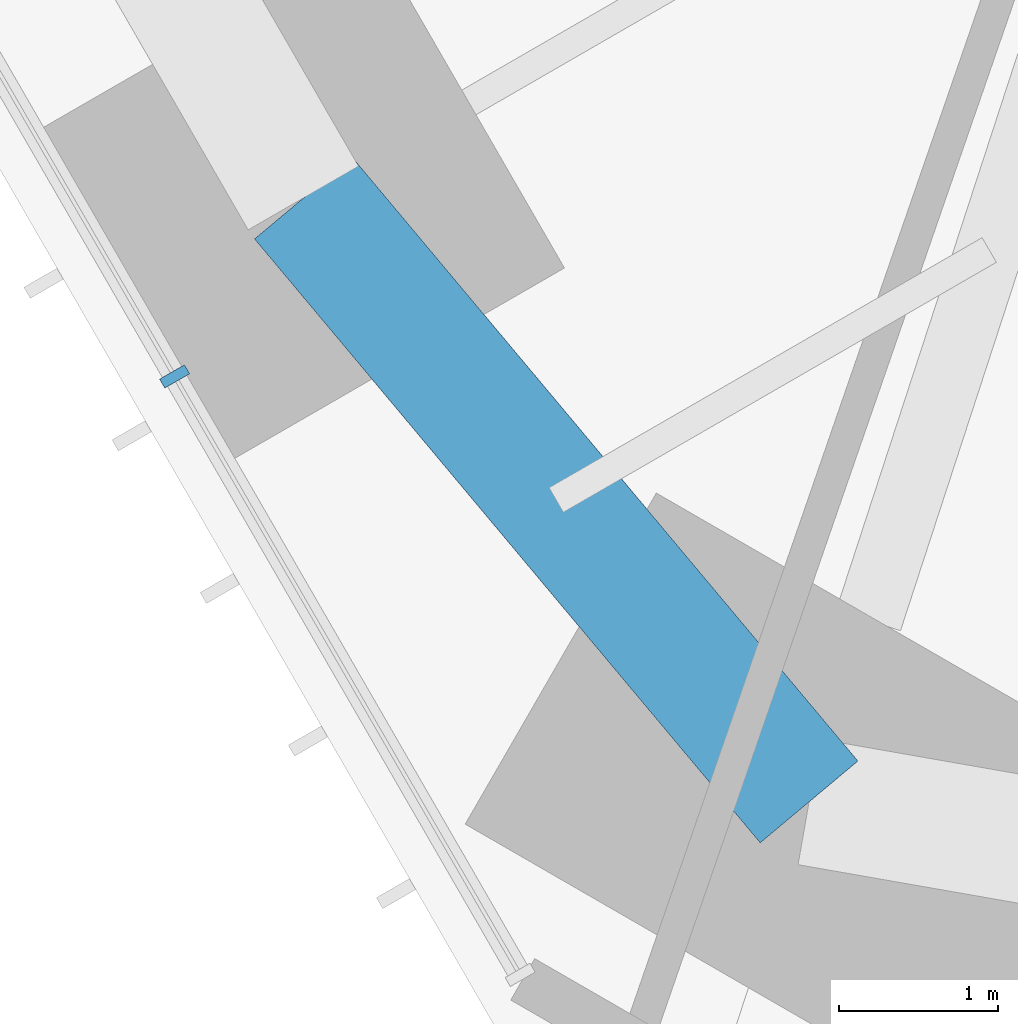
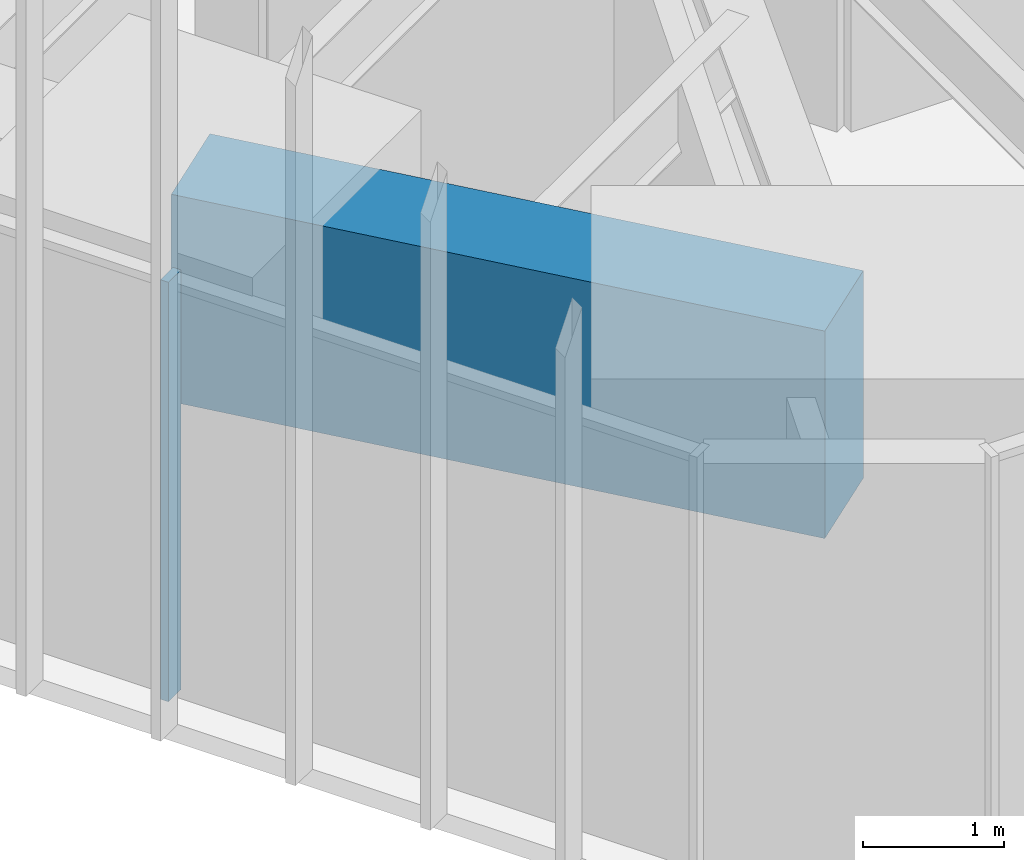
# One storey, part 26 of 256: 1 beam, 1 member, 1 element without a shape of its own.
"""IFC4 building model written with IfcOpenShell, lengths in metres."""

from ifc_helpers import new_model, si_unit, direction, frame, origin, origin_2d, place, context, subcontext, project, spatial, rectangle, extrude, material, material_profile, profile_set, type_object, element, aggregate, save


model = new_model("IFC4")

# Units and contexts
model_context = context("Model", 3, precision=1e-05, world=origin(), true_north=direction((0.0, 1.0)))
body_context = subcontext(model_context, "Body", "Model", "MODEL_VIEW")
ifc_project = project(units=[si_unit("LENGTHUNIT", "METRE"), si_unit("AREAUNIT", "SQUARE_METRE"), si_unit("VOLUMEUNIT", "CUBIC_METRE"), si_unit("PLANEANGLEUNIT", "RADIAN"), si_unit("MASSUNIT", "GRAM", prefix="KILO")], contexts=[model_context])

# Site, building, storey
site_placement = place(None, origin())
site = spatial("IfcSite", under=ifc_project, at=site_placement, CompositionType="ELEMENT")
building_placement = place(site_placement, origin())
building = spatial("IfcBuilding", under=site, at=building_placement, Name="Sandreach Pilgrim Tower", CompositionType="ELEMENT")
storey_placement = place(building_placement, frame((0.0, 0.0, 23.0)))
storey = spatial("IfcBuildingStorey", under=building, at=storey_placement, Name="L04", CompositionType="ELEMENT", Elevation=23.0)

# Curtain wall, member
ifc_material_1 = material(Name="Aluminium framed curtain wall", Category="aluminium")
curtain_wall_type = type_object("IfcCurtainWallType", Name="Hostel tower curtain wall", PredefinedType="NOTDEFINED", material=ifc_material_1)
curtain_wall_placement = place(storey_placement, origin())
curtain_wall = element("IfcCurtainWall", 1, at=curtain_wall_placement, inside=storey, type_object=curtain_wall_type, Name="CW-1 L04 SW", PredefinedType="NOTDEFINED")
ifc_material_2 = material(Name="Aluminium extrusion", Category="aluminium")
ifc_material_profile_1 = material_profile(ifc_material_2, rectangle(XDim=0.06494140625, YDim=0.179931640625, at=origin_2d()), Name="CW-1M 65X180")
ifc_profile_set_1 = profile_set([ifc_material_profile_1], Name="Aluminium extrusion")
member_type = type_object("IfcMemberType", Name="CW-1 mullion", PredefinedType="MULLION", material=ifc_profile_set_1)
member_placement = place(storey_placement, frame((-13.08984375, -25.22509765625, 0.0), z_axis=(0.0, 0.0, 1.0), x_axis=(-0.5, 0.866025403784, 0.0)))
member = element("IfcMember", 2, at=member_placement, type_object=member_type, Name="CW-1 mullion 2", PredefinedType="MULLION", context=body_context, shape_type="SweptSolid", body=[
    extrude(rectangle(XDim=0.06494140625, YDim=0.179931640625, at=origin_2d()), origin(), (0.0, 0.0, 1.0), 3.639892578125),
])
aggregate(curtain_wall, [member])

# Beam
ifc_material_3 = material(Name="Concrete 10000 psi", Category="concrete")
ifc_material_profile_2 = material_profile(ifc_material_3, rectangle(XDim=0.800048828125, YDim=1.800048828125, at=origin_2d()), Name="RC800X1800")
ifc_profile_set_2 = profile_set([ifc_material_profile_2], Name="Concrete 10000 psi")
beam_type = type_object("IfcBeamType", Name="Spandrel beam RC800X1800", PredefinedType="SPANDREL", material=ifc_profile_set_2)
beam_placement = place(storey_placement, frame((-9.1064453125, -27.89697265625, 2.739990234375), z_axis=(-0.642008193922, 0.766697775488, 0.0), x_axis=(-0.766697775488, -0.642008193922, 0.0)))
element("IfcBeam", 3, at=beam_placement, inside=storey, type_object=beam_type, Name="BM L04 SP26", PredefinedType="SPANDREL", context=body_context, shape_type="SweptSolid", body=[
    extrude(rectangle(XDim=0.800048828125, YDim=1.800048828125, at=origin_2d()), origin(), (0.0, 0.0, 1.0), 4.94580078125),
])

save(model, "model.ifc")
